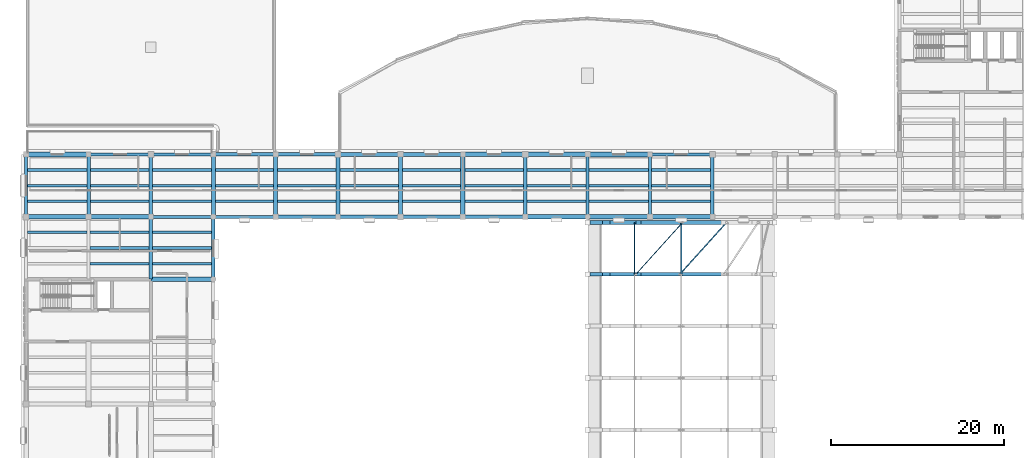
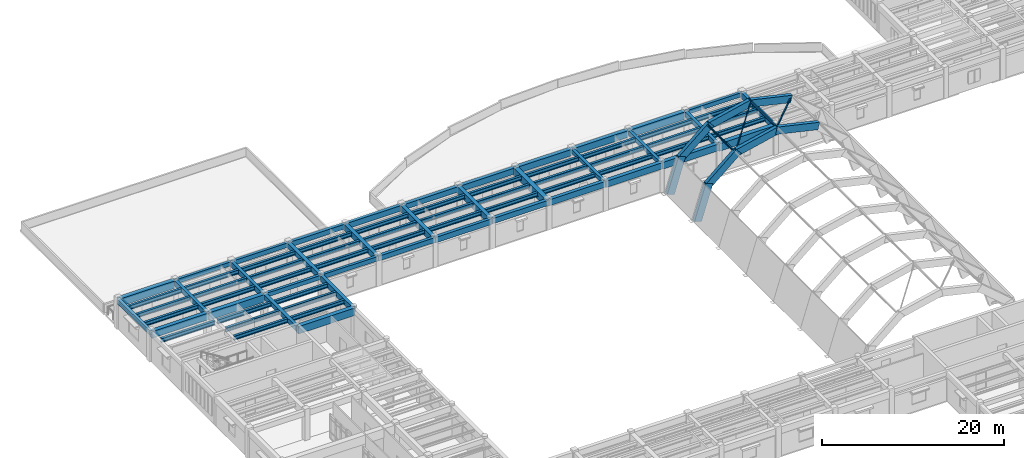
# One storey, part 11 of 66: 85 beams, 4 members.
"""IFC4 building model written with IfcOpenShell, lengths in metres."""

from ifc_helpers import new_model, si_unit, direction, frame, origin, origin_2d, place, context, subcontext, project, spatial, rectangle, hollow_rectangle, i_section, extrude, material, material_profile, profile_set, type_object, element, save


model = new_model("IFC4")

# Units and contexts
model_context = context("Model", 3, precision=1e-05, world=origin(), true_north=direction((0.0, 1.0)))
body_context = subcontext(model_context, "Body", "Model", "MODEL_VIEW")
ifc_project = project(units=[si_unit("LENGTHUNIT", "METRE"), si_unit("AREAUNIT", "SQUARE_METRE"), si_unit("VOLUMEUNIT", "CUBIC_METRE"), si_unit("PLANEANGLEUNIT", "RADIAN"), si_unit("MASSUNIT", "GRAM", prefix="KILO")], contexts=[model_context])

# Site, building, storey
site_placement = place(None, origin())
site = spatial("IfcSite", under=ifc_project, at=site_placement, CompositionType="ELEMENT")
building_placement = place(site_placement, origin())
building = spatial("IfcBuilding", under=site, at=building_placement, Name="Mithqara Police Headquarters", CompositionType="ELEMENT")
storey_placement = place(building_placement, frame((0.0, 0.0, 9.60009765625)))
storey = spatial("IfcBuildingStorey", under=building, at=storey_placement, Name="L02", CompositionType="ELEMENT", Elevation=9.60009765625)

# Beams
ifc_material_1 = material(Name="Steel S355JR", Category="steel")
ifc_material_profile_1 = material_profile(ifc_material_1, i_section(OverallWidth=0.300048828125, OverallDepth=0.550048828125, WebThickness=0.014892578125, FlangeThickness=0.029052734375, FilletRadius=0.027099609375, at=origin_2d()), Name="HEB 550")
ifc_profile_set_1 = profile_set([ifc_material_profile_1], Name="Steel S355JR")
beam_type_1 = type_object("IfcBeamType", Name="BEAM HEB550", PredefinedType="BEAM", material=ifc_profile_set_1)
beam_1_placement = place(storey_placement, frame((7.97509765625, 76.800048828125, 3.664794921875), z_axis=(1.0, 0.0, 0.0), x_axis=(0.0, 1.0, 0.0)))
element("IfcBeam", 1, at=beam_1_placement, inside=storey, type_object=beam_type_1, Name="L02 Composite Steel Joist 2-3/L.3", PredefinedType="BEAM", context=body_context, shape_type="SweptSolid", body=[
    extrude(i_section(OverallWidth=0.300048828125, OverallDepth=0.550048828125, WebThickness=0.014892578125, FlangeThickness=0.029052734375, FilletRadius=0.027099609375, at=origin_2d()), origin(), (0.0, 0.0, 1.0), 6.849853515625),
])
for number, where, z_axis, x_axis, name in (
    (2, (7.97509765625, 80.39990234375, 3.664794921875), (1.0, 0.0, 0.0), (0.0, 1.0, 0.0), "L02 Composite Steel Joist 2-3/M.1"),
    (3, (7.97509765625, 82.199951171875, 3.664794921875), (1.0, 0.0, 0.0), (0.0, 1.0, 0.0), "L02 Composite Steel Joist 2-3/M.2"),
    (4, (7.97509765625, 84.0, 3.664794921875), (1.0, 0.0, 0.0), (0.0, 1.0, 0.0), "L02 Composite Steel Joist 2-3/M.3"),
    (5, (15.175048828125, 73.199951171875, 3.664794921875), (1.0, 0.0, 0.0), (0.0, 1.0, 0.0), "L02 Composite Steel Joist 3-4/L.1"),
    (6, (15.175048828125, 75.0, 3.664794921875), (1.0, 0.0, 0.0), (0.0, 1.0, 0.0), "L02 Composite Steel Joist 3-4/L.2"),
    (7, (15.175048828125, 76.800048828125, 3.664794921875), (1.0, 0.0, 0.0), (0.0, 1.0, 0.0), "L02 Composite Steel Joist 3-4/L.3"),
):
    element("IfcBeam", number, at=place(storey_placement, frame(where, z_axis=z_axis, x_axis=x_axis)), inside=storey, type_object=beam_type_1, Name=name, PredefinedType="BEAM", context=body_context, shape_type="SweptSolid", body=[
        extrude(i_section(OverallWidth=0.300048828125, OverallDepth=0.550048828125, WebThickness=0.014892578125, FlangeThickness=0.029052734375, FilletRadius=0.027099609375, at=origin_2d()), origin(), (0.0, 0.0, 1.0), 6.824951171875),
    ])
for number, where, z_axis, x_axis, name in (
    (8, (15.199951171875, 80.39990234375, 3.664794921875), (1.0, 0.0, 0.0), (0.0, 1.0, 0.0), "L02 Composite Steel Joist 3-4/M.1"),
    (9, (15.199951171875, 82.199951171875, 3.664794921875), (1.0, 0.0, 0.0), (0.0, 1.0, 0.0), "L02 Composite Steel Joist 3-4/M.2"),
    (10, (15.199951171875, 84.0, 3.664794921875), (1.0, 0.0, 0.0), (0.0, 1.0, 0.0), "L02 Composite Steel Joist 3-4/M.3"),
    (11, (22.39990234375, 73.199951171875, 3.664794921875), (1.0, 0.0, 0.0), (0.0, 1.0, 0.0), "L02 Composite Steel Joist 4-5/L.1"),
    (12, (22.39990234375, 75.0, 3.664794921875), (1.0, 0.0, 0.0), (0.0, 1.0, 0.0), "L02 Composite Steel Joist 4-5/L.2"),
    (13, (22.39990234375, 76.800048828125, 3.664794921875), (1.0, 0.0, 0.0), (0.0, 1.0, 0.0), "L02 Composite Steel Joist 4-5/L.3"),
):
    element("IfcBeam", number, at=place(storey_placement, frame(where, z_axis=z_axis, x_axis=x_axis)), inside=storey, type_object=beam_type_1, Name=name, PredefinedType="BEAM", context=body_context, shape_type="SweptSolid", body=[
        extrude(i_section(OverallWidth=0.300048828125, OverallDepth=0.550048828125, WebThickness=0.014892578125, FlangeThickness=0.029052734375, FilletRadius=0.027099609375, at=origin_2d()), origin(), (0.0, 0.0, 1.0), 6.800048828125),
    ])
for number, where, z_axis, x_axis, name in (
    (14, (22.39990234375, 80.39990234375, 3.664794921875), (1.0, 0.0, 0.0), (0.0, 1.0, 0.0), "L02 Composite Steel Joist 4-5/M.1"),
    (15, (22.39990234375, 82.199951171875, 3.664794921875), (1.0, 0.0, 0.0), (0.0, 1.0, 0.0), "L02 Composite Steel Joist 4-5/M.2"),
    (16, (22.39990234375, 84.0, 3.664794921875), (1.0, 0.0, 0.0), (0.0, 1.0, 0.0), "L02 Composite Steel Joist 4-5/M.3"),
):
    element("IfcBeam", number, at=place(storey_placement, frame(where, z_axis=z_axis, x_axis=x_axis)), inside=storey, type_object=beam_type_1, Name=name, PredefinedType="BEAM", context=body_context, shape_type="SweptSolid", body=[
        extrude(i_section(OverallWidth=0.300048828125, OverallDepth=0.550048828125, WebThickness=0.014892578125, FlangeThickness=0.029052734375, FilletRadius=0.027099609375, at=origin_2d()), origin(), (0.0, 0.0, 1.0), 6.775146484375),
    ])
for number, where, z_axis, x_axis, name in (
    (17, (29.625, 80.39990234375, 3.664794921875), (1.0, 0.0, 0.0), (0.0, 1.0, 0.0), "L02 Composite Steel Joist 5-6/M.1"),
    (18, (29.625, 82.199951171875, 3.664794921875), (1.0, 0.0, 0.0), (0.0, 1.0, 0.0), "L02 Composite Steel Joist 5-6/M.2"),
    (19, (29.625, 84.0, 3.664794921875), (1.0, 0.0, 0.0), (0.0, 1.0, 0.0), "L02 Composite Steel Joist 5-6/M.3"),
):
    element("IfcBeam", number, at=place(storey_placement, frame(where, z_axis=z_axis, x_axis=x_axis)), inside=storey, type_object=beam_type_1, Name=name, PredefinedType="BEAM", context=body_context, shape_type="SweptSolid", body=[
        extrude(i_section(OverallWidth=0.300048828125, OverallDepth=0.550048828125, WebThickness=0.014892578125, FlangeThickness=0.029052734375, FilletRadius=0.027099609375, at=origin_2d()), origin(), (0.0, 0.0, 1.0), 6.75),
    ])
for number, where, z_axis, x_axis, name in (
    (20, (36.824951171875, 80.39990234375, 3.664794921875), (1.0, 0.0, 0.0), (0.0, 1.0, 0.0), "L02 Composite Steel Joist 6-7/M.1"),
    (21, (36.824951171875, 82.199951171875, 3.664794921875), (1.0, 0.0, 0.0), (0.0, 1.0, 0.0), "L02 Composite Steel Joist 6-7/M.2"),
    (22, (36.824951171875, 84.0, 3.664794921875), (1.0, 0.0, 0.0), (0.0, 1.0, 0.0), "L02 Composite Steel Joist 6-7/M.3"),
):
    element("IfcBeam", number, at=place(storey_placement, frame(where, z_axis=z_axis, x_axis=x_axis)), inside=storey, type_object=beam_type_1, Name=name, PredefinedType="BEAM", context=body_context, shape_type="SweptSolid", body=[
        extrude(i_section(OverallWidth=0.300048828125, OverallDepth=0.550048828125, WebThickness=0.014892578125, FlangeThickness=0.029052734375, FilletRadius=0.027099609375, at=origin_2d()), origin(), (0.0, 0.0, 1.0), 6.72509765625),
    ])
for number, where, z_axis, x_axis, name in (
    (23, (44.050048828125, 80.39990234375, 3.664794921875), (1.0, 0.0, 0.0), (0.0, 1.0, 0.0), "L02 Composite Steel Joist 7-8/M.1"),
    (24, (44.050048828125, 82.199951171875, 3.664794921875), (1.0, 0.0, 0.0), (0.0, 1.0, 0.0), "L02 Composite Steel Joist 7-8/M.2"),
    (25, (44.050048828125, 84.0, 3.664794921875), (1.0, 0.0, 0.0), (0.0, 1.0, 0.0), "L02 Composite Steel Joist 7-8/M.3"),
):
    element("IfcBeam", number, at=place(storey_placement, frame(where, z_axis=z_axis, x_axis=x_axis)), inside=storey, type_object=beam_type_1, Name=name, PredefinedType="BEAM", context=body_context, shape_type="SweptSolid", body=[
        extrude(i_section(OverallWidth=0.300048828125, OverallDepth=0.550048828125, WebThickness=0.014892578125, FlangeThickness=0.029052734375, FilletRadius=0.027099609375, at=origin_2d()), origin(), (0.0, 0.0, 1.0), 6.699951171875),
    ])
for number, where, z_axis, x_axis, name in (
    (26, (51.25, 80.39990234375, 3.664794921875), (1.0, 0.0, 0.0), (0.0, 1.0, 0.0), "L02 Composite Steel Joist 8-9/M.1"),
    (27, (51.25, 82.199951171875, 3.664794921875), (1.0, 0.0, 0.0), (0.0, 1.0, 0.0), "L02 Composite Steel Joist 8-9/M.2"),
    (28, (51.25, 84.0, 3.664794921875), (1.0, 0.0, 0.0), (0.0, 1.0, 0.0), "L02 Composite Steel Joist 8-9/M.3"),
):
    element("IfcBeam", number, at=place(storey_placement, frame(where, z_axis=z_axis, x_axis=x_axis)), inside=storey, type_object=beam_type_1, Name=name, PredefinedType="BEAM", context=body_context, shape_type="SweptSolid", body=[
        extrude(i_section(OverallWidth=0.300048828125, OverallDepth=0.550048828125, WebThickness=0.014892578125, FlangeThickness=0.029052734375, FilletRadius=0.027099609375, at=origin_2d()), origin(), (0.0, 0.0, 1.0), 6.675048828125),
    ])
for number, where, z_axis, x_axis, name in (
    (29, (58.47509765625, 80.39990234375, 3.664794921875), (1.0, 0.0, 0.0), (0.0, 1.0, 0.0), "L02 Composite Steel Joist 9-10/M.1"),
    (30, (58.47509765625, 82.199951171875, 3.664794921875), (1.0, 0.0, 0.0), (0.0, 1.0, 0.0), "L02 Composite Steel Joist 9-10/M.2"),
    (31, (58.47509765625, 84.0, 3.664794921875), (1.0, 0.0, 0.0), (0.0, 1.0, 0.0), "L02 Composite Steel Joist 9-10/M.3"),
):
    element("IfcBeam", number, at=place(storey_placement, frame(where, z_axis=z_axis, x_axis=x_axis)), inside=storey, type_object=beam_type_1, Name=name, PredefinedType="BEAM", context=body_context, shape_type="SweptSolid", body=[
        extrude(i_section(OverallWidth=0.300048828125, OverallDepth=0.550048828125, WebThickness=0.014892578125, FlangeThickness=0.029052734375, FilletRadius=0.027099609375, at=origin_2d()), origin(), (0.0, 0.0, 1.0), 6.75),
    ])
for number, where, z_axis, x_axis, name in (
    (32, (65.574951171875, 80.39990234375, 3.664794921875), (1.0, 0.0, 0.0), (0.0, 1.0, 0.0), "L02 Composite Steel Joist 10-11/M.1"),
    (33, (65.574951171875, 82.199951171875, 3.664794921875), (1.0, 0.0, 0.0), (0.0, 1.0, 0.0), "L02 Composite Steel Joist 10-11/M.2"),
    (34, (65.574951171875, 84.0, 3.664794921875), (1.0, 0.0, 0.0), (0.0, 1.0, 0.0), "L02 Composite Steel Joist 10-11/M.3"),
):
    element("IfcBeam", number, at=place(storey_placement, frame(where, z_axis=z_axis, x_axis=x_axis)), inside=storey, type_object=beam_type_1, Name=name, PredefinedType="BEAM", context=body_context, shape_type="SweptSolid", body=[
        extrude(i_section(OverallWidth=0.300048828125, OverallDepth=0.550048828125, WebThickness=0.014892578125, FlangeThickness=0.029052734375, FilletRadius=0.027099609375, at=origin_2d()), origin(), (0.0, 0.0, 1.0), 6.85009765625),
    ])
for number, where, z_axis, x_axis, name in (
    (35, (72.77490234375, 80.39990234375, 3.664794921875), (1.0, 0.0, 0.0), (0.0, 1.0, 0.0), "L02 Composite Steel Joist 11-12/M.1"),
    (36, (72.77490234375, 82.199951171875, 3.664794921875), (1.0, 0.0, 0.0), (0.0, 1.0, 0.0), "L02 Composite Steel Joist 11-12/M.2"),
    (37, (72.77490234375, 84.0, 3.664794921875), (1.0, 0.0, 0.0), (0.0, 1.0, 0.0), "L02 Composite Steel Joist 11-12/M.3"),
):
    element("IfcBeam", number, at=place(storey_placement, frame(where, z_axis=z_axis, x_axis=x_axis)), inside=storey, type_object=beam_type_1, Name=name, PredefinedType="BEAM", context=body_context, shape_type="SweptSolid", body=[
        extrude(i_section(OverallWidth=0.300048828125, OverallDepth=0.550048828125, WebThickness=0.014892578125, FlangeThickness=0.029052734375, FilletRadius=0.027099609375, at=origin_2d()), origin(), (0.0, 0.0, 1.0), 6.8251953125),
    ])
for number, where, z_axis, x_axis, name in (
    (38, (80.0, 80.39990234375, 3.664794921875), (1.0, 0.0, 0.0), (0.0, 1.0, 0.0), "L02 Composite Steel Joist 12-13/M.1"),
    (39, (80.0, 82.199951171875, 3.664794921875), (1.0, 0.0, 0.0), (0.0, 1.0, 0.0), "L02 Composite Steel Joist 12-13/M.2"),
    (40, (80.0, 84.0, 3.664794921875), (1.0, 0.0, 0.0), (0.0, 1.0, 0.0), "L02 Composite Steel Joist 12-13/M.3"),
):
    element("IfcBeam", number, at=place(storey_placement, frame(where, z_axis=z_axis, x_axis=x_axis)), inside=storey, type_object=beam_type_1, Name=name, PredefinedType="BEAM", context=body_context, shape_type="SweptSolid", body=[
        extrude(i_section(OverallWidth=0.300048828125, OverallDepth=0.550048828125, WebThickness=0.014892578125, FlangeThickness=0.029052734375, FilletRadius=0.027099609375, at=origin_2d()), origin(), (0.0, 0.0, 1.0), 6.800048828125),
    ])
ifc_material_2 = material(Name="Concrete C40/50", Category="concrete")
ifc_material_profile_2 = material_profile(ifc_material_2, rectangle(XDim=0.35009765625, YDim=0.550048828125, at=origin_2d()), Name="RC 350x550")
ifc_profile_set_2 = profile_set([ifc_material_profile_2], Name="Concrete C40/50")
beam_type_2 = type_object("IfcBeamType", Name="BEAM RC350X550", PredefinedType="BEAM", material=ifc_profile_set_2)
for number, where, z_axis, x_axis, name in (
    (41, (15.0, 85.800048828125, 3.664794921875), (1.0, 0.0, 0.0), (0.0, 1.0, 0.0), "L02 Girder 3-4/N"),
    (42, (22.199951171875, 78.60009765625, 3.664794921875), (1.0, 0.0, 0.0), (0.0, 1.0, 0.0), "L02 Girder 4-5/M"),
    (43, (65.39990234375, 78.60009765625, 3.664794921875), (0.0, 1.0, 0.0), (-1.0, 0.0, 0.0), "L02 Girder 10/M-N"),
    (44, (79.800048828125, 85.800048828125, 3.664794921875), (1.0, 0.0, 0.0), (0.0, 1.0, 0.0), "L02 Girder 12-13/N"),
):
    element("IfcBeam", number, at=place(storey_placement, frame(where, z_axis=z_axis, x_axis=x_axis)), inside=storey, type_object=beam_type_2, Name=name, PredefinedType="BEAM", context=body_context, shape_type="SweptSolid", body=[
        extrude(rectangle(XDim=0.35009765625, YDim=0.550048828125, at=origin_2d()), origin(), (0.0, 0.0, 1.0), 7.199951171875),
    ])
ifc_material_profile_3 = material_profile(ifc_material_2, rectangle(XDim=0.35009765625, YDim=0.60009765625, at=origin_2d()), Name="RC 350x600")
ifc_profile_set_3 = profile_set([ifc_material_profile_3], Name="Concrete C40/50")
beam_type_3 = type_object("IfcBeamType", Name="BEAM RC350X600", PredefinedType="BEAM", material=ifc_profile_set_3)
for number, where, z_axis, x_axis, name in (
    (45, (7.800048828125, 78.60009765625, 3.639892578125), (0.0, 1.0, 0.0), (-1.0, 0.0, 0.0), "L02 Girder 2/M-N"),
    (46, (22.199951171875, 85.800048828125, 3.639892578125), (1.0, 0.0, 0.0), (0.0, 1.0, 0.0), "L02 Girder 4-5/N"),
):
    element("IfcBeam", number, at=place(storey_placement, frame(where, z_axis=z_axis, x_axis=x_axis)), inside=storey, type_object=beam_type_3, Name=name, PredefinedType="BEAM", context=body_context, shape_type="SweptSolid", body=[
        extrude(rectangle(XDim=0.35009765625, YDim=0.60009765625, at=origin_2d()), origin(), (0.0, 0.0, 1.0), 7.199951171875),
    ])
beam_2_placement = place(storey_placement, frame((29.39990234375, 78.60009765625, 3.639892578125), z_axis=(1.0, 0.0, 0.0), x_axis=(0.0, 1.0, 0.0)))
element("IfcBeam", 47, at=beam_2_placement, inside=storey, type_object=beam_type_3, Name="L02 Girder 5-6/M", PredefinedType="BEAM", context=body_context, shape_type="SweptSolid", body=[
    extrude(rectangle(XDim=0.35009765625, YDim=0.60009765625, at=origin_2d()), origin(), (0.0, 0.0, 1.0), 7.2001953125),
])
beam_3_placement = place(storey_placement, frame((72.60009765625, 78.60009765625, 3.639892578125), z_axis=(0.0, 1.0, 0.0), x_axis=(-1.0, 0.0, 0.0)))
element("IfcBeam", 48, at=beam_3_placement, inside=storey, type_object=beam_type_3, Name="L02 Girder 11/M-N", PredefinedType="BEAM", context=body_context, shape_type="SweptSolid", body=[
    extrude(rectangle(XDim=0.35009765625, YDim=0.60009765625, at=origin_2d()), origin(), (0.0, 0.0, 1.0), 7.199951171875),
])
ifc_material_profile_4 = material_profile(ifc_material_2, rectangle(XDim=0.39990234375, YDim=0.64990234375, at=origin_2d()), Name="RC 400x650")
ifc_profile_set_4 = profile_set([ifc_material_profile_4], Name="Concrete C40/50")
beam_type_4 = type_object("IfcBeamType", Name="BEAM RC400X650", PredefinedType="BEAM", material=ifc_profile_set_4)
beam_4_placement = place(storey_placement, frame((15.0, 78.60009765625, 3.614990234375), z_axis=(0.0, 1.0, 0.0), x_axis=(-1.0, 0.0, 0.0)))
element("IfcBeam", 49, at=beam_4_placement, inside=storey, type_object=beam_type_4, Name="L02 Girder 3/M-N", PredefinedType="BEAM", context=body_context, shape_type="SweptSolid", body=[
    extrude(rectangle(XDim=0.39990234375, YDim=0.64990234375, at=origin_2d()), origin(), (0.0, 0.0, 1.0), 7.199951171875),
])
for number, where, z_axis, x_axis, name in (
    (50, (22.199951171875, 71.39990234375, 3.614990234375), (0.0, 1.0, 0.0), (-1.0, 0.0, 0.0), "L02 Girder 4/L-M"),
    (51, (29.39990234375, 85.800048828125, 3.614990234375), (1.0, 0.0, 0.0), (0.0, 1.0, 0.0), "L02 Girder 5-6/N"),
):
    element("IfcBeam", number, at=place(storey_placement, frame(where, z_axis=z_axis, x_axis=x_axis)), inside=storey, type_object=beam_type_4, Name=name, PredefinedType="BEAM", context=body_context, shape_type="SweptSolid", body=[
        extrude(rectangle(XDim=0.39990234375, YDim=0.64990234375, at=origin_2d()), origin(), (0.0, 0.0, 1.0), 7.2001953125),
    ])
for number, where, z_axis, x_axis, name in (
    (52, (36.60009765625, 78.60009765625, 3.614990234375), (1.0, 0.0, 0.0), (0.0, 1.0, 0.0), "L02 Girder 6-7/M"),
    (53, (79.800048828125, 78.60009765625, 3.614990234375), (0.0, 1.0, 0.0), (-1.0, 0.0, 0.0), "L02 Girder 12/M-N"),
):
    element("IfcBeam", number, at=place(storey_placement, frame(where, z_axis=z_axis, x_axis=x_axis)), inside=storey, type_object=beam_type_4, Name=name, PredefinedType="BEAM", context=body_context, shape_type="SweptSolid", body=[
        extrude(rectangle(XDim=0.39990234375, YDim=0.64990234375, at=origin_2d()), origin(), (0.0, 0.0, 1.0), 7.199951171875),
    ])
ifc_material_profile_5 = material_profile(ifc_material_2, rectangle(XDim=0.39990234375, YDim=0.75, at=origin_2d()), Name="RC 400x750")
ifc_profile_set_5 = profile_set([ifc_material_profile_5], Name="Concrete C40/50")
beam_type_5 = type_object("IfcBeamType", Name="BEAM RC400X750", PredefinedType="BEAM", material=ifc_profile_set_5)
beam_5_placement = place(storey_placement, frame((22.199951171875, 78.60009765625, 3.56494140625), z_axis=(0.0, 1.0, 0.0), x_axis=(-1.0, 0.0, 0.0)))
element("IfcBeam", 54, at=beam_5_placement, inside=storey, type_object=beam_type_5, Name="L02 Girder 4/M-N", PredefinedType="BEAM", context=body_context, shape_type="SweptSolid", body=[
    extrude(rectangle(XDim=0.39990234375, YDim=0.75, at=origin_2d()), origin(), (0.0, 0.0, 1.0), 7.199951171875),
])
beam_6_placement = place(storey_placement, frame((29.39990234375, 71.39990234375, 3.56494140625), z_axis=(0.0, 1.0, 0.0), x_axis=(-1.0, 0.0, 0.0)))
element("IfcBeam", 55, at=beam_6_placement, inside=storey, type_object=beam_type_5, Name="L02 Girder 5/L-M", PredefinedType="BEAM", context=body_context, shape_type="SweptSolid", body=[
    extrude(rectangle(XDim=0.39990234375, YDim=0.75, at=origin_2d()), origin(), (0.0, 0.0, 1.0), 7.2001953125),
])
for number, where, z_axis, x_axis, name in (
    (56, (36.60009765625, 85.800048828125, 3.56494140625), (1.0, 0.0, 0.0), (0.0, 1.0, 0.0), "L02 Girder 6-7/N"),
    (57, (43.800048828125, 78.60009765625, 3.56494140625), (1.0, 0.0, 0.0), (0.0, 1.0, 0.0), "L02 Girder 7-8/M"),
    (58, (87.0, 78.60009765625, 3.56494140625), (0.0, 1.0, 0.0), (-1.0, 0.0, 0.0), "L02 Girder 13/M-N"),
):
    element("IfcBeam", number, at=place(storey_placement, frame(where, z_axis=z_axis, x_axis=x_axis)), inside=storey, type_object=beam_type_5, Name=name, PredefinedType="BEAM", context=body_context, shape_type="SweptSolid", body=[
        extrude(rectangle(XDim=0.39990234375, YDim=0.75, at=origin_2d()), origin(), (0.0, 0.0, 1.0), 7.199951171875),
    ])
ifc_material_profile_6 = material_profile(ifc_material_2, rectangle(XDim=0.449951171875, YDim=0.699951171875, at=origin_2d()), Name="RC 450x700")
ifc_profile_set_6 = profile_set([ifc_material_profile_6], Name="Concrete C40/50")
beam_type_6 = type_object("IfcBeamType", Name="BEAM RC450X700", PredefinedType="BEAM", material=ifc_profile_set_6)
for number, where, z_axis, x_axis, name in (
    (59, (29.39990234375, 78.60009765625, 3.58984375), (0.0, 1.0, 0.0), (-1.0, 0.0, 0.0), "L02 Girder 5/M-N"),
    (60, (43.800048828125, 85.800048828125, 3.58984375), (1.0, 0.0, 0.0), (0.0, 1.0, 0.0), "L02 Girder 7-8/N"),
    (61, (51.0, 78.60009765625, 3.58984375), (1.0, 0.0, 0.0), (0.0, 1.0, 0.0), "L02 Girder 8-9/M"),
):
    element("IfcBeam", number, at=place(storey_placement, frame(where, z_axis=z_axis, x_axis=x_axis)), inside=storey, type_object=beam_type_6, Name=name, PredefinedType="BEAM", context=body_context, shape_type="SweptSolid", body=[
        extrude(rectangle(XDim=0.449951171875, YDim=0.699951171875, at=origin_2d()), origin(), (0.0, 0.0, 1.0), 7.199951171875),
    ])
ifc_material_profile_7 = material_profile(ifc_material_2, rectangle(XDim=0.449951171875, YDim=0.800048828125, at=origin_2d()), Name="RC 450x800")
ifc_profile_set_7 = profile_set([ifc_material_profile_7], Name="Concrete C40/50")
beam_type_7 = type_object("IfcBeamType", Name="BEAM RC450X800", PredefinedType="BEAM", material=ifc_profile_set_7)
for number, where, z_axis, x_axis, name in (
    (62, (36.60009765625, 78.60009765625, 3.539794921875), (0.0, 1.0, 0.0), (-1.0, 0.0, 0.0), "L02 Girder 6/M-N"),
    (63, (51.0, 85.800048828125, 3.539794921875), (1.0, 0.0, 0.0), (0.0, 1.0, 0.0), "L02 Girder 8-9/N"),
    (64, (58.199951171875, 78.60009765625, 3.539794921875), (1.0, 0.0, 0.0), (0.0, 1.0, 0.0), "L02 Girder 9-10/M"),
):
    element("IfcBeam", number, at=place(storey_placement, frame(where, z_axis=z_axis, x_axis=x_axis)), inside=storey, type_object=beam_type_7, Name=name, PredefinedType="BEAM", context=body_context, shape_type="SweptSolid", body=[
        extrude(rectangle(XDim=0.449951171875, YDim=0.800048828125, at=origin_2d()), origin(), (0.0, 0.0, 1.0), 7.199951171875),
    ])
ifc_material_profile_8 = material_profile(ifc_material_2, rectangle(XDim=0.5, YDim=0.85009765625, at=origin_2d()), Name="RC 500x850")
ifc_profile_set_8 = profile_set([ifc_material_profile_8], Name="Concrete C40/50")
beam_type_8 = type_object("IfcBeamType", Name="BEAM RC500X850", PredefinedType="BEAM", material=ifc_profile_set_8)
for number, where, z_axis, x_axis, name in (
    (65, (43.800048828125, 78.60009765625, 3.514892578125), (0.0, 1.0, 0.0), (-1.0, 0.0, 0.0), "L02 Girder 7/M-N"),
    (66, (58.199951171875, 85.800048828125, 3.514892578125), (1.0, 0.0, 0.0), (0.0, 1.0, 0.0), "L02 Girder 9-10/N"),
):
    element("IfcBeam", number, at=place(storey_placement, frame(where, z_axis=z_axis, x_axis=x_axis)), inside=storey, type_object=beam_type_8, Name=name, PredefinedType="BEAM", context=body_context, shape_type="SweptSolid", body=[
        extrude(rectangle(XDim=0.5, YDim=0.85009765625, at=origin_2d()), origin(), (0.0, 0.0, 1.0), 7.199951171875),
    ])
beam_7_placement = place(storey_placement, frame((65.39990234375, 78.60009765625, 3.514892578125), z_axis=(1.0, 0.0, 0.0), x_axis=(0.0, 1.0, 0.0)))
element("IfcBeam", 67, at=beam_7_placement, inside=storey, type_object=beam_type_8, Name="L02 Girder 10-11/M", PredefinedType="BEAM", context=body_context, shape_type="SweptSolid", body=[
    extrude(rectangle(XDim=0.5, YDim=0.85009765625, at=origin_2d()), origin(), (0.0, 0.0, 1.0), 7.2001953125),
])
ifc_material_3 = material(Name="Concrete C50/60", Category="concrete")
ifc_material_profile_9 = material_profile(ifc_material_3, rectangle(XDim=0.5, YDim=0.89990234375, at=origin_2d()), Name="RC 500x900")
ifc_profile_set_9 = profile_set([ifc_material_profile_9], Name="Concrete C50/60")
beam_type_9 = type_object("IfcBeamType", Name="BEAM RC500X900", PredefinedType="BEAM", material=ifc_profile_set_9)
for number, where, z_axis, x_axis, name in (
    (68, (7.800048828125, 78.60009765625, 3.489990234375), (1.0, 0.0, 0.0), (0.0, 1.0, 0.0), "L02 Girder 2-3/M"),
    (69, (51.0, 78.60009765625, 3.489990234375), (0.0, 1.0, 0.0), (-1.0, 0.0, 0.0), "L02 Girder 8/M-N"),
):
    element("IfcBeam", number, at=place(storey_placement, frame(where, z_axis=z_axis, x_axis=x_axis)), inside=storey, type_object=beam_type_9, Name=name, PredefinedType="BEAM", context=body_context, shape_type="SweptSolid", body=[
        extrude(rectangle(XDim=0.5, YDim=0.89990234375, at=origin_2d()), origin(), (0.0, 0.0, 1.0), 7.199951171875),
    ])
beam_8_placement = place(storey_placement, frame((65.39990234375, 85.800048828125, 3.489990234375), z_axis=(1.0, 0.0, 0.0), x_axis=(0.0, 1.0, 0.0)))
element("IfcBeam", 70, at=beam_8_placement, inside=storey, type_object=beam_type_9, Name="L02 Girder 10-11/N", PredefinedType="BEAM", context=body_context, shape_type="SweptSolid", body=[
    extrude(rectangle(XDim=0.5, YDim=0.89990234375, at=origin_2d()), origin(), (0.0, 0.0, 1.0), 7.2001953125),
])
beam_9_placement = place(storey_placement, frame((72.60009765625, 78.60009765625, 3.489990234375), z_axis=(1.0, 0.0, 0.0), x_axis=(0.0, 1.0, 0.0)))
element("IfcBeam", 71, at=beam_9_placement, inside=storey, type_object=beam_type_9, Name="L02 Girder 11-12/M", PredefinedType="BEAM", context=body_context, shape_type="SweptSolid", body=[
    extrude(rectangle(XDim=0.5, YDim=0.89990234375, at=origin_2d()), origin(), (0.0, 0.0, 1.0), 7.199951171875),
])
ifc_material_profile_10 = material_profile(ifc_material_3, rectangle(XDim=0.550048828125, YDim=1.0, at=origin_2d()), Name="RC 550x1000")
ifc_profile_set_10 = profile_set([ifc_material_profile_10], Name="Concrete C50/60")
beam_type_10 = type_object("IfcBeamType", Name="BEAM RC550X1000", PredefinedType="BEAM", material=ifc_profile_set_10)
for number, where, z_axis, x_axis, name in (
    (72, (7.800048828125, 85.800048828125, 3.43994140625), (1.0, 0.0, 0.0), (0.0, 1.0, 0.0), "L02 Girder 2-3/N"),
    (73, (15.0, 78.60009765625, 3.43994140625), (1.0, 0.0, 0.0), (0.0, 1.0, 0.0), "L02 Girder 3-4/M"),
    (74, (22.199951171875, 71.39990234375, 3.43994140625), (1.0, 0.0, 0.0), (0.0, 1.0, 0.0), "L02 Girder 4-5/L"),
    (75, (58.199951171875, 78.60009765625, 3.43994140625), (0.0, 1.0, 0.0), (-1.0, 0.0, 0.0), "L02 Girder 9/M-N"),
    (76, (72.60009765625, 85.800048828125, 3.43994140625), (1.0, 0.0, 0.0), (0.0, 1.0, 0.0), "L02 Girder 11-12/N"),
    (77, (79.800048828125, 78.60009765625, 3.43994140625), (1.0, 0.0, 0.0), (0.0, 1.0, 0.0), "L02 Girder 12-13/M"),
):
    element("IfcBeam", number, at=place(storey_placement, frame(where, z_axis=z_axis, x_axis=x_axis)), inside=storey, type_object=beam_type_10, Name=name, PredefinedType="BEAM", context=body_context, shape_type="SweptSolid", body=[
        extrude(rectangle(XDim=0.550048828125, YDim=1.0, at=origin_2d()), origin(), (0.0, 0.0, 1.0), 7.199951171875),
    ])

# Members
ifc_material_profile_11 = material_profile(ifc_material_1, hollow_rectangle(XDim=0.10009765625, YDim=0.199951171875, WallThickness=0.008056640625, InnerFilletRadius=0.008056640625, OuterFilletRadius=0.01611328125, at=origin_2d()), Name="RHS 200x100x8.0")
ifc_profile_set_11 = profile_set([ifc_material_profile_11], Name="Steel S355JR")
member_type_1 = type_object("IfcMemberType", Name="BRACE RHS200", PredefinedType="BRACE", material=ifc_profile_set_11)
member_1_placement = place(storey_placement, frame((78.16357421875, 71.96435546875, 7.250732421875), z_axis=(0.662166612657, 0.733954466409, 0.151149655378), x_axis=(-0.742484956991, 0.669862738658, 0.0)))
element("IfcMember", 78, at=member_1_placement, inside=storey, type_object=member_type_1, Name="Public Entrance Hall Barrel Vault Vault Wind Brace Bay 7 Facet 3", PredefinedType="BRACE", context=body_context, shape_type="SweptSolid", body=[
    extrude(hollow_rectangle(XDim=0.10009765625, YDim=0.199951171875, WallThickness=0.008056640625, InnerFilletRadius=0.008056640625, OuterFilletRadius=0.01611328125, at=origin_2d()), origin(), (0.0, 0.0, 1.0), 8.1552734375),
])
ifc_material_profile_12 = material_profile(ifc_material_1, hollow_rectangle(XDim=0.14990234375, YDim=0.25, WallThickness=0.010009765625, InnerFilletRadius=0.010009765625, OuterFilletRadius=0.02001953125, at=origin_2d()), Name="RHS 250x150x10.0")
ifc_profile_set_12 = profile_set([ifc_material_profile_12], Name="Steel S355JR")
member_type_2 = type_object("IfcMemberType", Name="BRACE RHS250", PredefinedType="BRACE", material=ifc_profile_set_12)
member_2_placement = place(storey_placement, frame((83.236328125, 71.96435546875, 8.4833984375), z_axis=(0.662166612657, 0.733954466409, -0.151149655378), x_axis=(-0.742484956991, 0.669862738658, 0.0)))
element("IfcMember", 79, at=member_2_placement, inside=storey, type_object=member_type_2, Name="Public Entrance Hall Barrel Vault Vault Wind Brace Bay 7 Facet 4", PredefinedType="BRACE", context=body_context, shape_type="SweptSolid", body=[
    extrude(hollow_rectangle(XDim=0.14990234375, YDim=0.25, WallThickness=0.010009765625, InnerFilletRadius=0.010009765625, OuterFilletRadius=0.02001953125, at=origin_2d()), origin(), (0.0, 0.0, 1.0), 8.1552734375),
])
ifc_material_profile_13 = material_profile(ifc_material_1, i_section(OverallWidth=0.1201171875, OverallDepth=0.239990234375, WebThickness=0.006103515625, FlangeThickness=0.009765625, FilletRadius=0.014892578125, at=origin_2d()), Name="IPE 240")
ifc_profile_set_13 = profile_set([ifc_material_profile_13], Name="Steel S355JR")
member_type_3 = type_object("IfcMemberType", Name="PURLIN IPE240", PredefinedType="PURLIN", material=ifc_profile_set_13)
member_3_placement = place(storey_placement, frame((78.0, 71.96435546875, 7.477294921875), z_axis=(0.0, 1.0, 0.0), x_axis=(-1.0, 0.0, 0.0)))
element("IfcMember", 80, at=member_3_placement, inside=storey, type_object=member_type_3, Name="Public Entrance Hall Barrel Vault Roof Purlin Bay 7.2", PredefinedType="PURLIN", context=body_context, shape_type="SweptSolid", body=[
    extrude(i_section(OverallWidth=0.1201171875, OverallDepth=0.239990234375, WebThickness=0.006103515625, FlangeThickness=0.009765625, FilletRadius=0.014892578125, at=origin_2d()), origin(), (0.0, 0.0, 1.0), 5.985595703125),
])
ifc_material_profile_14 = material_profile(ifc_material_1, i_section(OverallWidth=0.135009765625, OverallDepth=0.27001953125, WebThickness=0.006591796875, FlangeThickness=0.01025390625, FilletRadius=0.014892578125, at=origin_2d()), Name="IPE 270")
ifc_profile_set_14 = profile_set([ifc_material_profile_14], Name="Steel S355JR")
member_type_4 = type_object("IfcMemberType", Name="PURLIN IPE270", PredefinedType="PURLIN", material=ifc_profile_set_14)
member_4_placement = place(storey_placement, frame((83.39990234375, 71.96435546875, 8.793701171875), z_axis=(0.0, 1.0, 0.0), x_axis=(-1.0, 0.0, 0.0)))
element("IfcMember", 81, at=member_4_placement, inside=storey, type_object=member_type_4, Name="Public Entrance Hall Barrel Vault Roof Purlin Bay 7.3", PredefinedType="PURLIN", context=body_context, shape_type="SweptSolid", body=[
    extrude(i_section(OverallWidth=0.135009765625, OverallDepth=0.27001953125, WebThickness=0.006591796875, FlangeThickness=0.01025390625, FilletRadius=0.014892578125, at=origin_2d()), origin(), (0.0, 0.0, 1.0), 5.985595703125),
])

# Beams
ifc_material_profile_15 = material_profile(ifc_material_3, rectangle(XDim=0.449951171875, YDim=0.949951171875, at=origin_2d()), Name="RIB 450x950")
ifc_profile_set_15 = profile_set([ifc_material_profile_15], Name="Concrete C50/60")
beam_type_11 = type_object("IfcBeamType", Name="VAULT RIB 450X950", PredefinedType="BEAM", material=ifc_profile_set_15)
beam_10_placement = place(storey_placement, frame((73.301025390625, 71.96435546875, -0.220703125), z_axis=(0.300067498999, 0.0, 0.95391797134), x_axis=(0.0, 1.0, 0.0)))
element("IfcBeam", 82, at=beam_10_placement, inside=storey, type_object=beam_type_11, Name="Public Entrance Hall Barrel Vault Arch Rib 7 Chord 1", PredefinedType="BEAM", context=body_context, shape_type="SweptSolid", body=[
    extrude(rectangle(XDim=0.449951171875, YDim=0.949951171875, at=origin_2d()), origin(), (0.0, 0.0, 1.0), 4.822265625),
])
beam_11_placement = place(storey_placement, frame((74.5234375, 71.96435546875, 4.040283203125), z_axis=(0.761247528234, 0.0, 0.648461410384), x_axis=(0.0, 1.0, 0.0)))
element("IfcBeam", 83, at=beam_11_placement, inside=storey, type_object=beam_type_11, Name="Public Entrance Hall Barrel Vault Arch Rib 7 Chord 2", PredefinedType="BEAM", context=body_context, shape_type="SweptSolid", body=[
    extrude(rectangle(XDim=0.449951171875, YDim=0.949951171875, at=origin_2d()), origin(), (0.0, 0.0, 1.0), 5.19287109375),
])
for number, where, z_axis, x_axis, name in (
    (84, (78.16357421875, 71.96435546875, 7.250732421875), (0.974923297451, 0.0, 0.222541151446), (0.0, 1.0, 0.0), "Public Entrance Hall Barrel Vault Arch Rib 7 Chord 3"),
    (85, (83.236328125, 71.96435546875, 8.4833984375), (0.974923297451, 0.0, -0.222541151446), (0.0, 1.0, 0.0), "Public Entrance Hall Barrel Vault Arch Rib 7 Chord 4"),
):
    element("IfcBeam", number, at=place(storey_placement, frame(where, z_axis=z_axis, x_axis=x_axis)), inside=storey, type_object=beam_type_11, Name=name, PredefinedType="BEAM", context=body_context, shape_type="SweptSolid", body=[
        extrude(rectangle(XDim=0.449951171875, YDim=0.949951171875, at=origin_2d()), origin(), (0.0, 0.0, 1.0), 5.5390625),
    ])
beam_12_placement = place(storey_placement, frame((73.301025390625, 77.949951171875, -0.220703125), z_axis=(0.300067498999, 0.0, 0.95391797134), x_axis=(0.0, 1.0, 0.0)))
element("IfcBeam", 86, at=beam_12_placement, inside=storey, type_object=beam_type_11, Name="Public Entrance Hall Barrel Vault Arch Rib 8 Chord 1", PredefinedType="BEAM", context=body_context, shape_type="SweptSolid", body=[
    extrude(rectangle(XDim=0.449951171875, YDim=0.949951171875, at=origin_2d()), origin(), (0.0, 0.0, 1.0), 4.822265625),
])
beam_13_placement = place(storey_placement, frame((74.5234375, 77.949951171875, 4.040283203125), z_axis=(0.761247528234, 0.0, 0.648461410384), x_axis=(0.0, 1.0, 0.0)))
element("IfcBeam", 87, at=beam_13_placement, inside=storey, type_object=beam_type_11, Name="Public Entrance Hall Barrel Vault Arch Rib 8 Chord 2", PredefinedType="BEAM", context=body_context, shape_type="SweptSolid", body=[
    extrude(rectangle(XDim=0.449951171875, YDim=0.949951171875, at=origin_2d()), origin(), (0.0, 0.0, 1.0), 5.19287109375),
])
for number, where, z_axis, x_axis, name in (
    (88, (78.16357421875, 77.949951171875, 7.250732421875), (0.974923297451, 0.0, 0.222541151446), (0.0, 1.0, 0.0), "Public Entrance Hall Barrel Vault Arch Rib 8 Chord 3"),
    (89, (83.236328125, 77.949951171875, 8.4833984375), (0.974923297451, 0.0, -0.222541151446), (0.0, 1.0, 0.0), "Public Entrance Hall Barrel Vault Arch Rib 8 Chord 4"),
):
    element("IfcBeam", number, at=place(storey_placement, frame(where, z_axis=z_axis, x_axis=x_axis)), inside=storey, type_object=beam_type_11, Name=name, PredefinedType="BEAM", context=body_context, shape_type="SweptSolid", body=[
        extrude(rectangle(XDim=0.449951171875, YDim=0.949951171875, at=origin_2d()), origin(), (0.0, 0.0, 1.0), 5.5390625),
    ])

save(model, "model.ifc")
